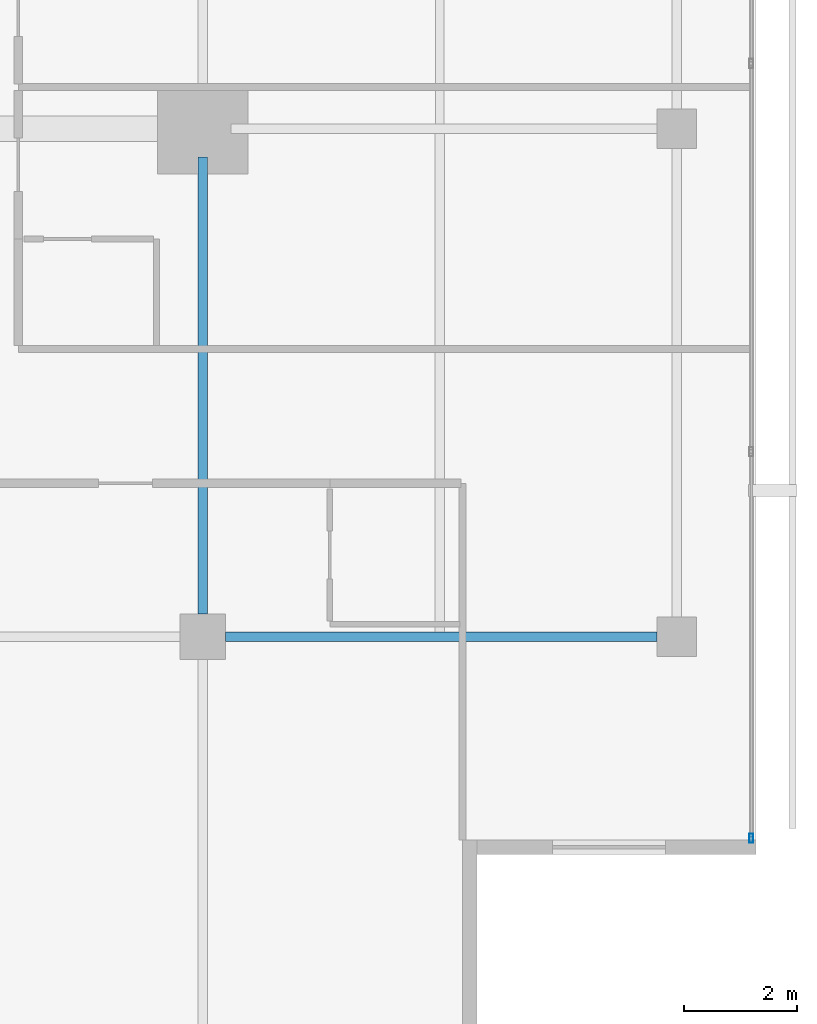
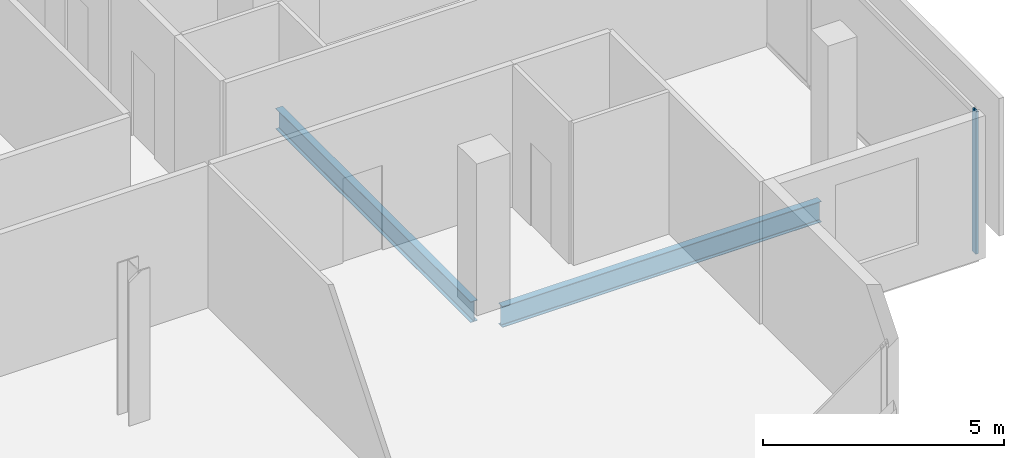
# One storey, part 11 of 25: 2 beams, 1 member, 1 element without a shape of its own.
"""IFC4 building model written with IfcOpenShell, lengths in metres."""

from ifc_helpers import new_model, si_unit, direction, frame, origin, origin_2d, place, context, subcontext, project, spatial, hollow_rectangle, i_section, extrude, material, layer, layer_set, material_profile, profile_set, type_object, element, aggregate, save


model = new_model("IFC4")

# Units and contexts
model_context = context("Model", 3, precision=1e-05, world=origin(), true_north=direction((0.0, 1.0)))
body_context = subcontext(model_context, "Body", "Model", "MODEL_VIEW")
ifc_project = project(units=[si_unit("LENGTHUNIT", "METRE"), si_unit("AREAUNIT", "SQUARE_METRE"), si_unit("VOLUMEUNIT", "CUBIC_METRE"), si_unit("PLANEANGLEUNIT", "RADIAN"), si_unit("MASSUNIT", "GRAM", prefix="KILO")], contexts=[model_context])

# Site, building, storey
site_placement = place(None, origin())
site = spatial("IfcSite", under=ifc_project, at=site_placement, CompositionType="ELEMENT")
building_placement = place(site_placement, origin())
building = spatial("IfcBuilding", under=site, at=building_placement, Name="Maruvema Waterfront Hotel and Observation Tower", CompositionType="ELEMENT")
storey_placement = place(building_placement, frame((0.0, 0.0, 277.89990234375)))
storey = spatial("IfcBuildingStorey", under=building, at=storey_placement, Name="L68", CompositionType="ELEMENT", Elevation=277.89990234375)

# Curtain wall, member
ifc_material_1 = material(Name="Anodised bronze aluminium and solar-control low-E IGU", Category="aluminium")
ifc_layer = layer(ifc_material_1, 0.159912109375, Name="Zone 3 Champagne Inner Thermal Curtain Wall System CW-04")
ifc_layer_set = layer_set([ifc_layer], Name="Anodised bronze aluminium and solar-control low-E IGU")
curtain_wall_type = type_object("IfcCurtainWallType", Name="Zone 3 Champagne Inner Thermal Curtain Wall System CW-04", PredefinedType="USERDEFINED", material=ifc_layer_set)
curtain_wall_placement = place(storey_placement, origin())
curtain_wall = element("IfcCurtainWall", 1, at=curtain_wall_placement, inside=storey, type_object=curtain_wall_type, Name="L68 Curtain Wall CW-L68-E", ObjectType="UNITISED CURTAIN WALL", PredefinedType="USERDEFINED")
ifc_material_2 = material(Name="Anodised architectural bronze aluminium", Category="aluminium")
ifc_material_profile_1 = material_profile(ifc_material_2, hollow_rectangle(XDim=0.06494140625, YDim=0.1650390625, WallThickness=0.00390625, at=origin_2d()), Name="ALU-M65x165")
ifc_profile_set_1 = profile_set([ifc_material_profile_1], Name="Anodised architectural bronze aluminium")
member_type = type_object("IfcMemberType", Name="Curtain Wall Primary Mullion ALU-M65x165", PredefinedType="MULLION", material=ifc_profile_set_1)
member_placement = place(storey_placement, frame((60.1201171875, 14.429931640625, 0.0), z_axis=(0.0, 0.0, 1.0), x_axis=(-1.0, 0.0, 0.0)))
member = element("IfcMember", 2, at=member_placement, type_object=member_type, Name="CW-04 mullion 1", PredefinedType="MULLION", context=body_context, shape_type="SweptSolid", body=[
    extrude(hollow_rectangle(XDim=0.06494140625, YDim=0.1650390625, WallThickness=0.00390625, at=origin_2d()), origin(), (0.0, 0.0, 1.0), 3.610107421875),
])
aggregate(curtain_wall, [member])

# Beams
ifc_material_3 = material(Name="Steel ASTM A572 Grade 50", Category="steel")
ifc_material_profile_2 = material_profile(ifc_material_3, i_section(OverallWidth=0.166015625, OverallDepth=0.529052734375, WebThickness=0.009765625, FlangeThickness=0.013671875, FilletRadius=0.014892578125, at=origin_2d()), Name="W530x74.0")
ifc_profile_set_2 = profile_set([ifc_material_profile_2], Name="Steel ASTM A572 Grade 50")
beam_type = type_object("IfcBeamType", Name="Primary Floor Girder W530x74.0", PredefinedType="BEAM", material=ifc_profile_set_2)
beam_1_placement = place(storey_placement, frame((50.800048828125, 18.0, -0.50439453125), z_axis=(1.0, 0.0, 0.0), x_axis=(0.0, 1.0, 0.0)))
element("IfcBeam", 3, at=beam_1_placement, inside=storey, type_object=beam_type, Name="L68 Floor Girder EW-08", PredefinedType="BEAM", context=body_context, shape_type="SweptSolid", body=[
    extrude(i_section(OverallWidth=0.166015625, OverallDepth=0.529052734375, WebThickness=0.009765625, FlangeThickness=0.013671875, FilletRadius=0.014892578125, at=origin_2d()), origin(), (0.0, 0.0, 1.0), 7.64990234375),
])
beam_2_placement = place(storey_placement, frame((50.39990234375, 18.39990234375, -0.50439453125), z_axis=(0.0, 1.0, 0.0), x_axis=(-1.0, 0.0, 0.0)))
element("IfcBeam", 4, at=beam_2_placement, inside=storey, type_object=beam_type, Name="L68 Floor Girder NS-13", PredefinedType="BEAM", context=body_context, shape_type="SweptSolid", body=[
    extrude(i_section(OverallWidth=0.166015625, OverallDepth=0.529052734375, WebThickness=0.009765625, FlangeThickness=0.013671875, FilletRadius=0.014892578125, at=origin_2d()), origin(), (0.0, 0.0, 1.0), 8.10009765625),
])

save(model, "model.ifc")
